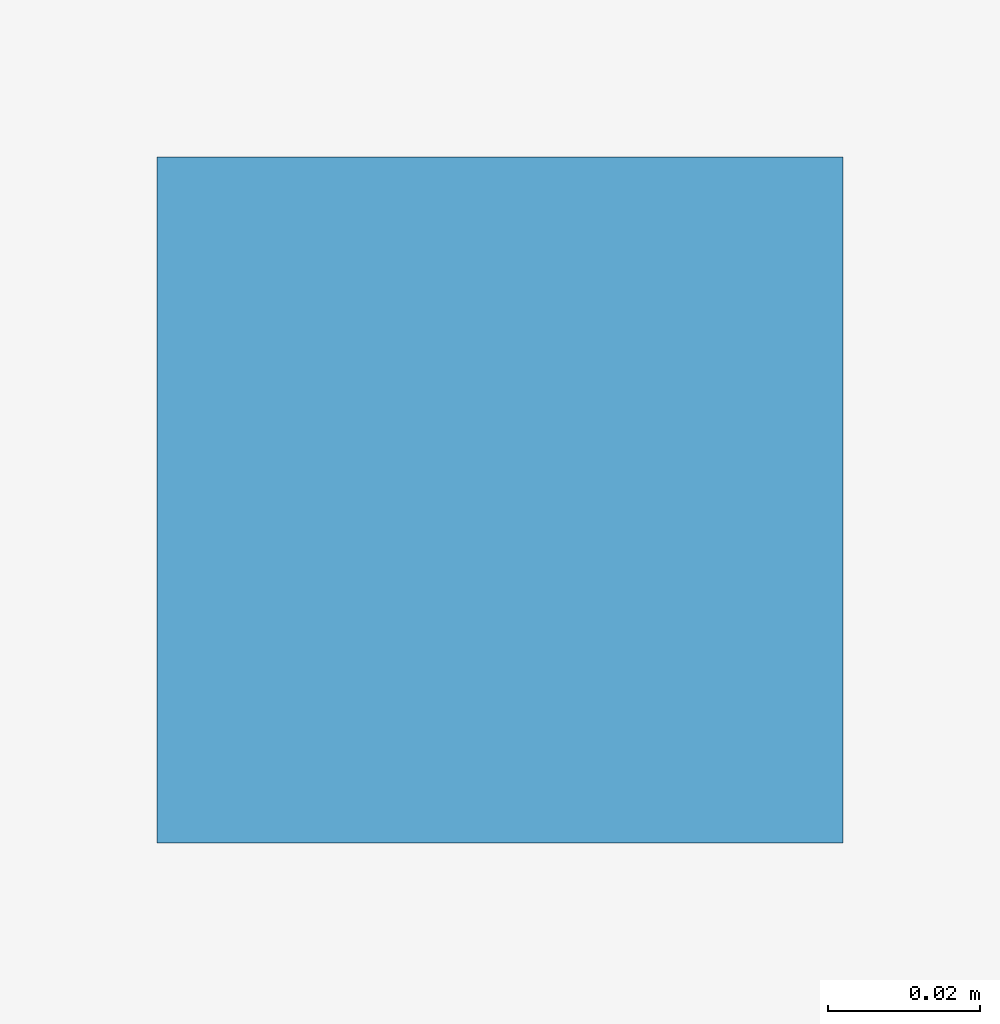
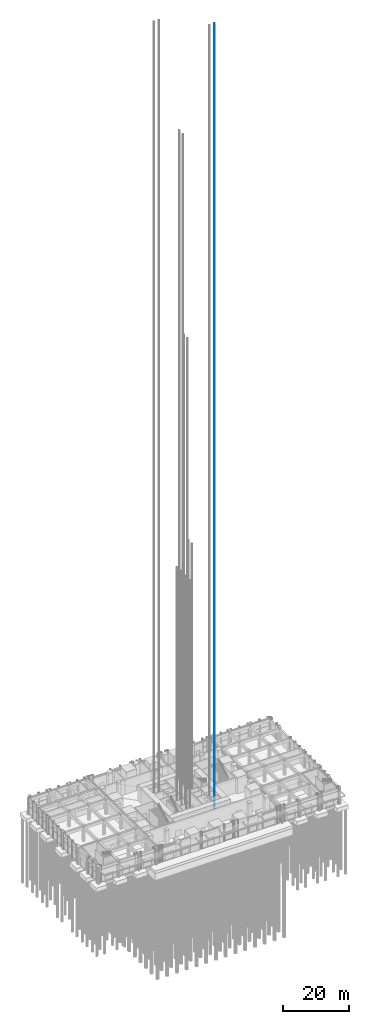
# One storey, part 41 of 46: 1 discrete accessory.
"""IFC4 building model written with IfcOpenShell, lengths in metres."""

from ifc_helpers import new_model, si_unit, direction, frame, origin, origin_2d, place, context, subcontext, project, spatial, rectangle, extrude, element, save


model = new_model("IFC4")

# Units and contexts
model_context = context("Model", 3, precision=1e-05, world=origin(), true_north=direction((0.0, 1.0)))
body_context = subcontext(model_context, "Body", "Model", "MODEL_VIEW")
ifc_project = project(units=[si_unit("LENGTHUNIT", "METRE"), si_unit("AREAUNIT", "SQUARE_METRE"), si_unit("VOLUMEUNIT", "CUBIC_METRE"), si_unit("PLANEANGLEUNIT", "RADIAN"), si_unit("MASSUNIT", "GRAM", prefix="KILO")], contexts=[model_context])

# Site, building, storey
site_placement = place(None, origin())
site = spatial("IfcSite", under=ifc_project, at=site_placement, CompositionType="ELEMENT")
building_placement = place(site_placement, origin())
building = spatial("IfcBuilding", under=site, at=building_placement, Name="Svetlomir Tower", CompositionType="ELEMENT")
storey_placement = place(building_placement, origin())
storey = spatial("IfcBuildingStorey", under=building, at=storey_placement, Name="L00", CompositionType="ELEMENT", Elevation=0.0)

# Discrete accessory
discrete_accessory_placement = place(storey_placement, frame((28.675048828125, 16.050048828125, 0.0), z_axis=(0.0, 0.0, 1.0), x_axis=(1.0, 0.0, 0.0)))
element("IfcDiscreteAccessory", 1, at=discrete_accessory_placement, inside=storey, Name="Lift FL2 guide rail 2", ObjectType="LIFT GUIDE RAIL", PredefinedType="USERDEFINED", context=body_context, shape_type="SweptSolid", body=[
    extrude(rectangle(XDim=0.090087890625, YDim=0.090087890625, at=origin_2d()), origin(), (0.0, 0.0, 1.0), 289.25),
])

save(model, "model.ifc")
